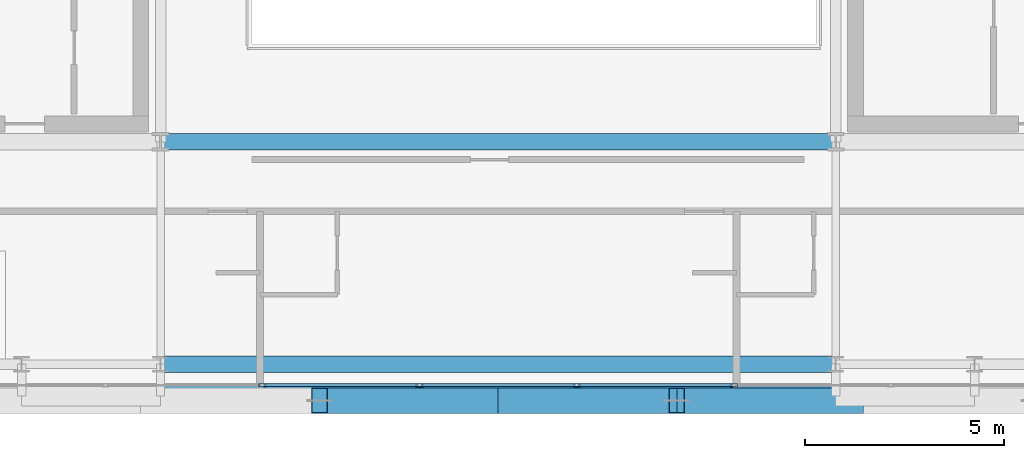
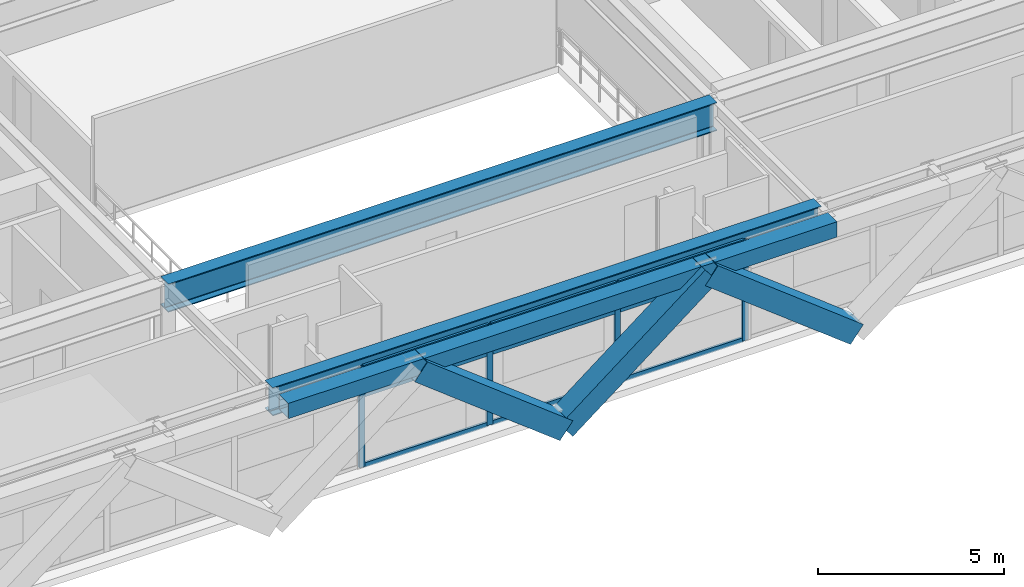
# One storey, part 5 of 28: 16 members, 3 beams, 1 element without a shape of its own.
"""IFC4 building model written with IfcOpenShell, lengths in metres."""

from ifc_helpers import new_model, si_unit, direction, frame, origin, origin_2d, place, context, subcontext, project, spatial, hollow_rectangle, i_section, extrude, source, transform, mapped, material, layer, layer_set, material_profile, profile_set, type_object, element, aggregate, save


model = new_model("IFC4")

# Units and contexts
model_context = context("Model", 3, precision=1e-05, world=origin(), true_north=direction((0.0, 1.0)))
body_context = subcontext(model_context, "Body", "Model", "MODEL_VIEW")
ifc_project = project(units=[si_unit("LENGTHUNIT", "METRE"), si_unit("AREAUNIT", "SQUARE_METRE"), si_unit("VOLUMEUNIT", "CUBIC_METRE"), si_unit("PLANEANGLEUNIT", "RADIAN"), si_unit("MASSUNIT", "GRAM", prefix="KILO")], contexts=[model_context])

# Site, building, storey
site_placement = place(None, origin())
site = spatial("IfcSite", under=ifc_project, at=site_placement, CompositionType="ELEMENT")
building_placement = place(site_placement, origin())
building = spatial("IfcBuilding", under=site, at=building_placement, Name="Ocotamira Hotel", CompositionType="ELEMENT")
storey_placement = place(building_placement, frame((0.0, 0.0, 243.60009765625)))
storey = spatial("IfcBuildingStorey", under=building, at=storey_placement, Name="L61", CompositionType="ELEMENT", Elevation=243.60009765625)

# Beams
ifc_material_1 = material(Name="Steel ASTM A992 Grade 50", Category="steel")
ifc_material_profile_1 = material_profile(ifc_material_1, i_section(OverallWidth=0.41796875, OverallDepth=0.927001953125, WebThickness=0.019287109375, FlangeThickness=0.031982421875, FilletRadius=0.02392578125, at=origin_2d()), Name="W36X231")
ifc_profile_set_1 = profile_set([ifc_material_profile_1], Name="Steel ASTM A992 Grade 50")
beam_type_1 = type_object("IfcBeamType", Name="BM-GIRD-W36X231", PredefinedType="BEAM", material=ifc_profile_set_1)
shared_shape_1 = source(origin(), body_context, "Body", "SweptSolid", [
    extrude(i_section(OverallWidth=0.41796875, OverallDepth=0.927001953125, WebThickness=0.019287109375, FlangeThickness=0.031982421875, FilletRadius=0.02392578125, at=origin_2d()), origin(), (0.0, 0.0, 1.0), 17.0),
])
for number, where, z_axis, x_axis, name in (
    (1, (23.5, 8.949951171875, 2.81640625), (1.0, 0.0, 0.0), (0.0, 1.0, 0.0), "L61 Girder Y8.95 X23.5-40.5"),
    (2, (23.5, 14.550048828125, 2.81640625), (1.0, 0.0, 0.0), (0.0, 1.0, 0.0), "L61 Girder Y14.55 X23.5-40.5"),
):
    element("IfcBeam", number, at=place(storey_placement, frame(where, z_axis=z_axis, x_axis=x_axis)), inside=storey, type_object=beam_type_1, Name=name, PredefinedType="BEAM", context=body_context, shape_type="MappedRepresentation", body=[
        mapped(shared_shape_1, transform((0.0, 0.0, 0.0), scale=1.0)),
    ])
ifc_material_2 = material(Name="Steel ASTM A500 Grade C", Category="steel")
ifc_material_profile_2 = material_profile(ifc_material_2, hollow_rectangle(XDim=0.5, YDim=0.5, WallThickness=0.02001953125, at=origin_2d()), Name="HSS500X500X20")
ifc_profile_set_2 = profile_set([ifc_material_profile_2], Name="Steel ASTM A500 Grade C")
beam_type_2 = type_object("IfcBeamType", Name="BM-SPAN-HSS500", PredefinedType="USERDEFINED", material=ifc_profile_set_2)
shared_shape_2 = source(origin(), body_context, "Body", "SweptSolid", [
    extrude(hollow_rectangle(XDim=0.5, YDim=0.5, WallThickness=0.02001953125, at=origin_2d()), origin(), (0.0, 0.0, 1.0), 17.0),
])
beam_placement = place(storey_placement, frame((23.5, 8.14990234375, 3.02978515625), z_axis=(1.0, 0.0, 0.0), x_axis=(0.0, 1.0, 0.0)))
element("IfcBeam", 3, at=beam_placement, inside=storey, type_object=beam_type_2, Name="L61 Edge Spandrel S X23.5-40.5", ObjectType="SPANDREL", PredefinedType="USERDEFINED", context=body_context, shape_type="MappedRepresentation", body=[
    mapped(shared_shape_2, transform((0.0, 0.0, 0.0), scale=1.0)),
])

# Members
ifc_material_3 = material(Name="Pale-metal coated steel ASTM A913 Grade 65", Category="steel")
ifc_material_profile_3 = material_profile(ifc_material_3, hollow_rectangle(XDim=0.64990234375, YDim=0.64990234375, WallThickness=0.02197265625, at=origin_2d()), Name="BOX650X650X22")
ifc_profile_set_3 = profile_set([ifc_material_profile_3], Name="Pale-metal coated steel ASTM A913 Grade 65")
member_type_1 = type_object("IfcMemberType", Name="MEM-EXO-BOX650", PredefinedType="BRACE", material=ifc_profile_set_3)
shared_shape_3 = source(origin(), body_context, "Body", "SweptSolid", [
    extrude(hollow_rectangle(XDim=0.64990234375, YDim=0.64990234375, WallThickness=0.02197265625, at=origin_2d()), origin(), (0.0, 0.0, 1.0), 5.700927734375),
])
for number, where, z_axis, x_axis, name in (
    (4, (32.0, 8.030029296875, -0.47021484375), (-0.789352217376, 0.0, 0.613940613515), (0.0, -1.0, 0.0), "L61 Exoskeleton Diagrid S1.2"),
    (5, (32.0, 8.030029296875, -0.47021484375), (0.789352217376, 0.0, 0.613940613515), (0.0, 1.0, 0.0), "L61 Exoskeleton Diagrid S2.1"),
    (6, (41.0, 8.030029296875, -0.47021484375), (-0.789352217376, 0.0, 0.613940613515), (0.0, -1.0, 0.0), "L61 Exoskeleton Diagrid S2.2"),
):
    element("IfcMember", number, at=place(storey_placement, frame(where, z_axis=z_axis, x_axis=x_axis)), inside=storey, type_object=member_type_1, Name=name, PredefinedType="BRACE", context=body_context, shape_type="MappedRepresentation", body=[
        mapped(shared_shape_3, transform((0.0, 0.0, 0.0), scale=1.0)),
    ])

# Curtain wall, members
ifc_material_4 = material(Name="Anodised pale-metal aluminium and solar glass", Category="aluminium")
ifc_layer = layer(ifc_material_4, 0.239990234375)
ifc_layer_set = layer_set([ifc_layer], Name="Anodised pale-metal aluminium and solar glass")
curtain_wall_type = type_object("IfcCurtainWallType", Name="CW-SYS5-SKY", PredefinedType="NOTDEFINED", material=ifc_layer_set)
curtain_wall_placement = place(storey_placement, origin())
curtain_wall = element("IfcCurtainWall", 7, at=curtain_wall_placement, inside=storey, type_object=curtain_wall_type, Name="L61 Curtain Wall CW-5 CW-L61-S1", PredefinedType="NOTDEFINED")
ifc_material_5 = material(Name="Anodised pale-metal aluminium 6063-T6", Category="aluminium")
ifc_material_profile_4 = material_profile(ifc_material_5, hollow_rectangle(XDim=0.074951171875, YDim=0.14990234375, WallThickness=0.006103515625, at=origin_2d()), Name="HSS150X75X6")
ifc_profile_set_4 = profile_set([ifc_material_profile_4], Name="Anodised pale-metal aluminium 6063-T6")
member_type_2 = type_object("IfcMemberType", Name="CWT-150X75", PredefinedType="USERDEFINED", material=ifc_profile_set_4)
shared_shape_4 = source(origin(), body_context, "Body", "SweptSolid", [
    extrude(hollow_rectangle(XDim=0.074951171875, YDim=0.14990234375, WallThickness=0.006103515625, at=origin_2d()), origin(), (0.0, 0.0, 1.0), 3.87548828125),
])
member_1_placement = place(storey_placement, frame((26.106689453125, 8.419921875, 0.037353515625), z_axis=(1.0, 0.0, 0.0), x_axis=(0.0, 1.0, 0.0)))
member_1 = element("IfcMember", 8, at=member_1_placement, type_object=member_type_2, Name="CW-5 transom 4.1", ObjectType="TRANSOM", PredefinedType="USERDEFINED", context=body_context, shape_type="MappedRepresentation", body=[
    mapped(shared_shape_4, transform((0.0, 0.0, 0.0), scale=1.0)),
])
member_2_placement = place(storey_placement, frame((26.106689453125, 8.419921875, 2.349853515625), z_axis=(1.0, 0.0, 0.0), x_axis=(0.0, 1.0, 0.0)))
member_2 = element("IfcMember", 9, at=member_2_placement, type_object=member_type_2, Name="CW-5 transom 4.2", ObjectType="TRANSOM", PredefinedType="USERDEFINED", context=body_context, shape_type="MappedRepresentation", body=[
    mapped(shared_shape_4, transform((0.0, 0.0, 0.0), scale=1.0)),
])
member_3_placement = place(storey_placement, frame((26.106689453125, 8.419921875, 3.242431640625), z_axis=(1.0, 0.0, 0.0), x_axis=(0.0, 1.0, 0.0)))
member_3 = element("IfcMember", 10, at=member_3_placement, type_object=member_type_2, Name="CW-5 transom 4.3", ObjectType="TRANSOM", PredefinedType="USERDEFINED", context=body_context, shape_type="MappedRepresentation", body=[
    mapped(shared_shape_4, transform((0.0, 0.0, 0.0), scale=1.0)),
])
member_4_placement = place(storey_placement, frame((30.062255859375, 8.419921875, 0.037353515625), z_axis=(1.0, 0.0, 0.0), x_axis=(0.0, 1.0, 0.0)))
member_4 = element("IfcMember", 11, at=member_4_placement, type_object=member_type_2, Name="CW-5 transom 5.1", ObjectType="TRANSOM", PredefinedType="USERDEFINED", context=body_context, shape_type="MappedRepresentation", body=[
    mapped(shared_shape_4, transform((0.0, 0.0, 0.0), scale=1.0)),
])
member_5_placement = place(storey_placement, frame((30.062255859375, 8.419921875, 2.349853515625), z_axis=(1.0, 0.0, 0.0), x_axis=(0.0, 1.0, 0.0)))
member_5 = element("IfcMember", 12, at=member_5_placement, type_object=member_type_2, Name="CW-5 transom 5.2", ObjectType="TRANSOM", PredefinedType="USERDEFINED", context=body_context, shape_type="MappedRepresentation", body=[
    mapped(shared_shape_4, transform((0.0, 0.0, 0.0), scale=1.0)),
])
member_6_placement = place(storey_placement, frame((30.062255859375, 8.419921875, 3.242431640625), z_axis=(1.0, 0.0, 0.0), x_axis=(0.0, 1.0, 0.0)))
member_6 = element("IfcMember", 13, at=member_6_placement, type_object=member_type_2, Name="CW-5 transom 5.3", ObjectType="TRANSOM", PredefinedType="USERDEFINED", context=body_context, shape_type="MappedRepresentation", body=[
    mapped(shared_shape_4, transform((0.0, 0.0, 0.0), scale=1.0)),
])
member_7_placement = place(storey_placement, frame((34.017822265625, 8.419921875, 0.037353515625), z_axis=(1.0, 0.0, 0.0), x_axis=(0.0, 1.0, 0.0)))
member_7 = element("IfcMember", 14, at=member_7_placement, type_object=member_type_2, Name="CW-5 transom 6.1", ObjectType="TRANSOM", PredefinedType="USERDEFINED", context=body_context, shape_type="MappedRepresentation", body=[
    mapped(shared_shape_4, transform((0.0, 0.0, 0.0), scale=1.0)),
])
member_8_placement = place(storey_placement, frame((34.017822265625, 8.419921875, 2.349853515625), z_axis=(1.0, 0.0, 0.0), x_axis=(0.0, 1.0, 0.0)))
member_8 = element("IfcMember", 15, at=member_8_placement, type_object=member_type_2, Name="CW-5 transom 6.2", ObjectType="TRANSOM", PredefinedType="USERDEFINED", context=body_context, shape_type="MappedRepresentation", body=[
    mapped(shared_shape_4, transform((0.0, 0.0, 0.0), scale=1.0)),
])
member_9_placement = place(storey_placement, frame((34.017822265625, 8.419921875, 3.242431640625), z_axis=(1.0, 0.0, 0.0), x_axis=(0.0, 1.0, 0.0)))
member_9 = element("IfcMember", 16, at=member_9_placement, type_object=member_type_2, Name="CW-5 transom 6.3", ObjectType="TRANSOM", PredefinedType="USERDEFINED", context=body_context, shape_type="MappedRepresentation", body=[
    mapped(shared_shape_4, transform((0.0, 0.0, 0.0), scale=1.0)),
])
ifc_material_profile_5 = material_profile(ifc_material_5, hollow_rectangle(XDim=0.080078125, YDim=0.179931640625, WallThickness=0.006103515625, at=origin_2d()), Name="HSS180X80X6")
ifc_profile_set_5 = profile_set([ifc_material_profile_5], Name="Anodised pale-metal aluminium 6063-T6")
member_type_3 = type_object("IfcMemberType", Name="CWM-180X75", PredefinedType="MULLION", material=ifc_profile_set_5)
shared_shape_5 = source(origin(), body_context, "Body", "SweptSolid", [
    extrude(hollow_rectangle(XDim=0.080078125, YDim=0.179931640625, WallThickness=0.006103515625, at=origin_2d()), origin(), (0.0, 0.0, 1.0), 3.27978515625),
])
member_10_placement = place(storey_placement, frame((26.066650390625, 8.419921875, 0.0), z_axis=(0.0, 0.0, 1.0), x_axis=(0.0, 1.0, 0.0)))
member_10 = element("IfcMember", 17, at=member_10_placement, type_object=member_type_3, Name="CW-5 mullion 4", PredefinedType="MULLION", context=body_context, shape_type="MappedRepresentation", body=[
    mapped(shared_shape_5, transform((0.0, 0.0, 0.0), scale=1.0)),
])
member_11_placement = place(storey_placement, frame((30.022216796875, 8.419921875, 0.0), z_axis=(0.0, 0.0, 1.0), x_axis=(0.0, 1.0, 0.0)))
member_11 = element("IfcMember", 18, at=member_11_placement, type_object=member_type_3, Name="CW-5 mullion 5", PredefinedType="MULLION", context=body_context, shape_type="MappedRepresentation", body=[
    mapped(shared_shape_5, transform((0.0, 0.0, 0.0), scale=1.0)),
])
member_12_placement = place(storey_placement, frame((33.977783203125, 8.419921875, 0.0), z_axis=(0.0, 0.0, 1.0), x_axis=(0.0, 1.0, 0.0)))
member_12 = element("IfcMember", 19, at=member_12_placement, type_object=member_type_3, Name="CW-5 mullion 6", PredefinedType="MULLION", context=body_context, shape_type="MappedRepresentation", body=[
    mapped(shared_shape_5, transform((0.0, 0.0, 0.0), scale=1.0)),
])
member_13_placement = place(storey_placement, frame((37.933349609375, 8.419921875, 0.0), z_axis=(0.0, 0.0, 1.0), x_axis=(0.0, 1.0, 0.0)))
member_13 = element("IfcMember", 20, at=member_13_placement, type_object=member_type_3, Name="CW-5 mullion 7", PredefinedType="MULLION", context=body_context, shape_type="MappedRepresentation", body=[
    mapped(shared_shape_5, transform((0.0, 0.0, 0.0), scale=1.0)),
])
aggregate(curtain_wall, [member_10, member_11, member_12, member_13, member_1, member_2, member_3, member_4, member_5, member_6, member_7, member_8, member_9])

save(model, "model.ifc")
